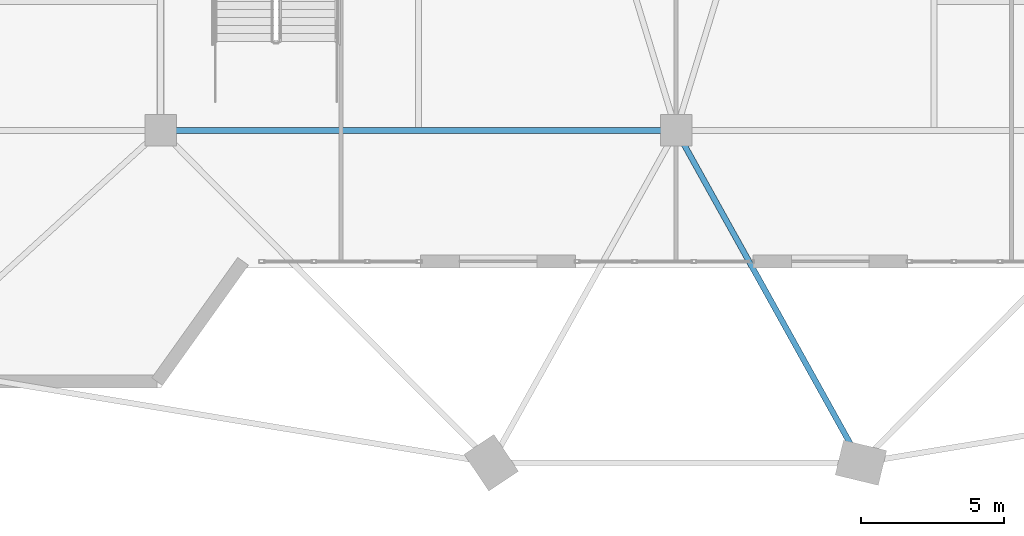
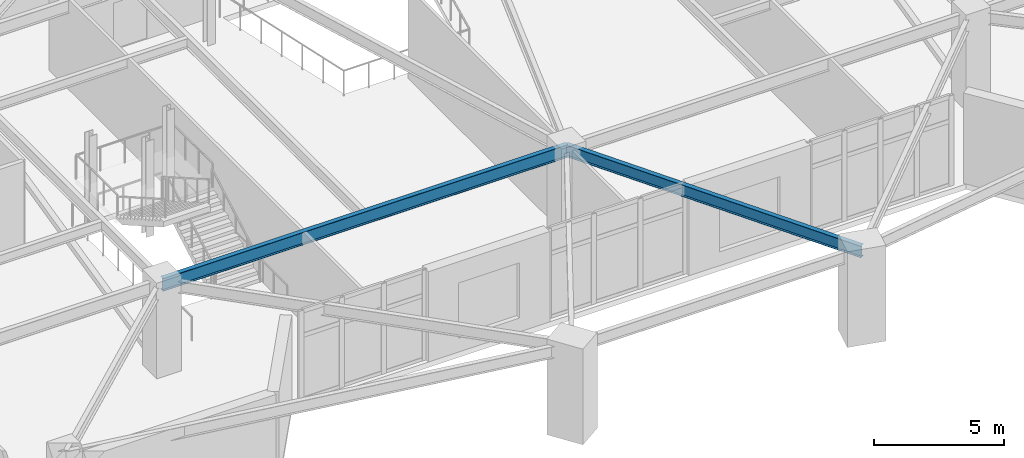
# One storey, part 9 of 29: 2 beams.
"""IFC4 building model written with IfcOpenShell, lengths in metres."""

from ifc_helpers import new_model, si_unit, direction, frame, origin, origin_2d, place, context, subcontext, project, spatial, i_section, extrude, source, transform, mapped, material, material_profile, profile_set, type_object, element, save


model = new_model("IFC4")

# Units and contexts
model_context = context("Model", 3, precision=1e-05, world=origin(), true_north=direction((0.0, 1.0)))
body_context = subcontext(model_context, "Body", "Model", "MODEL_VIEW")
ifc_project = project(units=[si_unit("LENGTHUNIT", "METRE"), si_unit("AREAUNIT", "SQUARE_METRE"), si_unit("VOLUMEUNIT", "CUBIC_METRE"), si_unit("PLANEANGLEUNIT", "RADIAN"), si_unit("MASSUNIT", "GRAM", prefix="KILO")], contexts=[model_context])

# Site, building, storey
site_placement = place(None, origin())
site = spatial("IfcSite", under=ifc_project, at=site_placement, CompositionType="ELEMENT")
building_placement = place(site_placement, origin())
building = spatial("IfcBuilding", under=site, at=building_placement, Name="Liaohun Quay Tower", CompositionType="ELEMENT")
storey_placement = place(building_placement, frame((0.0, 0.0, 5.39990234375)))
storey = spatial("IfcBuildingStorey", under=building, at=storey_placement, Name="L02", CompositionType="ELEMENT", Elevation=5.39990234375)

# Beams
ifc_material = material(Name="Steel Q355D", Category="steel")
ifc_material_profile_1 = material_profile(ifc_material, i_section(OverallWidth=0.199951171875, OverallDepth=0.60009765625, WebThickness=0.010986328125, FlangeThickness=0.01708984375, at=origin_2d()), Name="HN600x200x11x17")
ifc_profile_set_1 = profile_set([ifc_material_profile_1], Name="Steel Q355D")
beam_type_1 = type_object("IfcBeamType", Name="BM-POD-G1", PredefinedType="BEAM", material=ifc_profile_set_1)
shared_shape_1 = source(origin(), body_context, "Body", "SweptSolid", [
    extrude(i_section(OverallWidth=0.199951171875, OverallDepth=0.60009765625, WebThickness=0.010986328125, FlangeThickness=0.01708984375, at=origin_2d()), origin(), (0.0, 0.0, 1.0), 18.0),
])
beam_1_placement = place(storey_placement, frame((42.0, 24.0, 3.9501953125), z_axis=(1.0, 0.0, 0.0), x_axis=(0.0, 1.0, 0.0)))
element("IfcBeam", 1, at=beam_1_placement, inside=storey, type_object=beam_type_1, Name="L02 Primary Grid Girder PG02-PG03", PredefinedType="BEAM", context=body_context, shape_type="MappedRepresentation", body=[
    mapped(shared_shape_1, transform((0.0, 0.0, 0.0), x_axis=(1.0, 0.0, 0.0), y_axis=(0.0, 1.0, 0.0), z_axis=(0.0, 0.0, 1.0), scale=1.0)),
])
ifc_material_profile_2 = material_profile(ifc_material, i_section(OverallWidth=0.199951171875, OverallDepth=0.550048828125, WebThickness=0.010009765625, FlangeThickness=0.01611328125, at=origin_2d()), Name="HN550x200x10x16")
ifc_profile_set_2 = profile_set([ifc_material_profile_2], Name="Steel Q355D")
beam_type_2 = type_object("IfcBeamType", Name="BM-POD-G2", PredefinedType="BEAM", material=ifc_profile_set_2)
shared_shape_2 = source(origin(), body_context, "Body", "SweptSolid", [
    extrude(i_section(OverallWidth=0.199951171875, OverallDepth=0.550048828125, WebThickness=0.010009765625, FlangeThickness=0.01611328125, at=origin_2d()), origin(), (0.0, 0.0, 1.0), 13.272705078125),
])
beam_2_placement = place(storey_placement, frame((66.447998046875, 12.39892578125, 3.97509765625), z_axis=(-0.485813156466, 0.874062684826, 0.0), x_axis=(-0.874062684826, -0.485813156466, 0.0)))
element("IfcBeam", 2, at=beam_2_placement, inside=storey, type_object=beam_type_2, Name="L02 Primary Grid Girder PC11-PG03", PredefinedType="BEAM", context=body_context, shape_type="MappedRepresentation", body=[
    mapped(shared_shape_2, transform((0.0, 0.0, 0.0), x_axis=(1.0, 0.0, 0.0), y_axis=(0.0, 1.0, 0.0), z_axis=(0.0, 0.0, 1.0), scale=1.0)),
])

save(model, "model.ifc")
